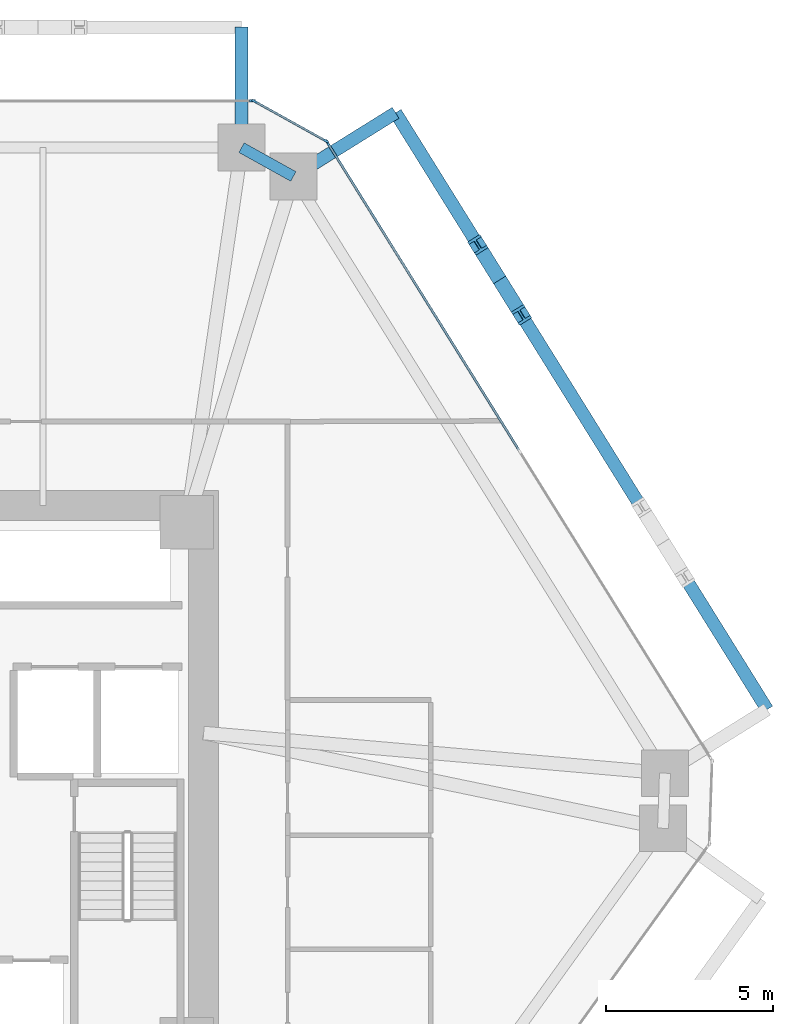
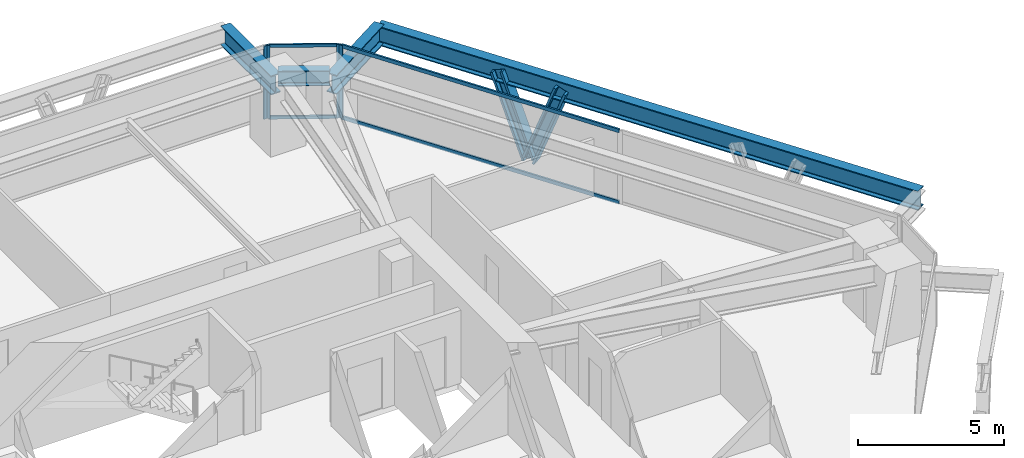
# One storey, part 9 of 14: 10 members, 4 beams, 3 elements without a shape of their own.
"""IFC4 building model written with IfcOpenShell, lengths in metres."""

from ifc_helpers import new_model, si_unit, direction, frame, origin, origin_2d, place, context, subcontext, project, spatial, rectangle, i_section, extrude, source, transform, mapped, material, layer, layer_set, material_profile, profile_set, type_object, type_shapes, element, aggregate, save


model = new_model("IFC4")

# Units and contexts
model_context = context("Model", 3, precision=1e-05, world=origin(), true_north=direction((0.0, 1.0)))
body_context = subcontext(model_context, "Body", "Model", "MODEL_VIEW")
ifc_project = project(units=[si_unit("LENGTHUNIT", "METRE"), si_unit("AREAUNIT", "SQUARE_METRE"), si_unit("VOLUMEUNIT", "CUBIC_METRE"), si_unit("PLANEANGLEUNIT", "RADIAN"), si_unit("MASSUNIT", "GRAM", prefix="KILO")], contexts=[model_context])

# Site, building, storey
site_placement = place(None, origin())
site = spatial("IfcSite", under=ifc_project, at=site_placement, CompositionType="ELEMENT")
building_placement = place(site_placement, origin())
building = spatial("IfcBuilding", under=site, at=building_placement, Name="Durnholm Broadcast Tower", CompositionType="ELEMENT")
storey_placement = place(building_placement, frame((0.0, 0.0, 35.699951171875)))
storey = spatial("IfcBuildingStorey", under=building, at=storey_placement, Name="L07", CompositionType="ELEMENT", Elevation=35.699951171875)

# Beams
ifc_material_1 = material(Name="Steel ASTM A992 Grade 50", Category="steel")
ifc_material_profile_1 = material_profile(ifc_material_1, i_section(OverallWidth=0.3291015625, OverallDepth=0.635009765625, WebThickness=0.017822265625, FlangeThickness=0.031005859375, FilletRadius=0.02783203125, at=origin_2d()), Name="W24X162")
ifc_profile_set_1 = profile_set([ifc_material_profile_1], Name="Steel ASTM A992 Grade 50")
beam_type_1 = type_object("IfcBeamType", Name="STL-SP-W24X162", PredefinedType="SPANDREL", material=ifc_profile_set_1)
shared_shape_1 = source(origin(), body_context, "Body", "SweptSolid", [
    extrude(i_section(OverallWidth=0.3291015625, OverallDepth=0.635009765625, WebThickness=0.017822265625, FlangeThickness=0.031005859375, FilletRadius=0.02783203125, at=origin_2d()), origin(), (0.0, 0.0, 1.0), 1.774658203125),
])
type_shapes(beam_type_1, [shared_shape_1])
beam_1_placement = place(storey_placement, frame((11.43115234375, 19.0, 2.7275390625), z_axis=(0.874248107979, -0.485479397806, 0.0), x_axis=(0.485479397806, 0.874248107979, 0.0)))
element("IfcBeam", 1, at=beam_1_placement, inside=storey, type_object=beam_type_1, Name="L07 perimeter spandrel girder 06", PredefinedType="SPANDREL", context=body_context, shape_type="MappedRepresentation", body=[
    mapped(shared_shape_1, transform((0.0, 0.0, 0.0), x_axis=(1.0, 0.0, 0.0), y_axis=(0.0, 1.0, 0.0), z_axis=(0.0, 0.0, 1.0), scale=1.0)),
])
ifc_material_profile_2 = material_profile(ifc_material_1, i_section(OverallWidth=0.385009765625, OverallDepth=0.802978515625, WebThickness=0.023681640625, FlangeThickness=0.0419921875, FilletRadius=0.032958984375, at=origin_2d()), Name="W30X261")
ifc_profile_set_2 = profile_set([ifc_material_profile_2], Name="Steel ASTM A992 Grade 50")
beam_type_2 = type_object("IfcBeamType", Name="BM-EXO-TIE", PredefinedType="USERDEFINED", material=ifc_profile_set_2)
shared_shape_2 = source(origin(), body_context, "Body", "SweptSolid", [
    extrude(i_section(OverallWidth=0.385009765625, OverallDepth=0.802978515625, WebThickness=0.023681640625, FlangeThickness=0.0419921875, FilletRadius=0.032958984375, at=origin_2d()), origin(), (0.0, 0.0, 1.0), 3.4560546875),
])
for number, where, z_axis, x_axis, name in (
    (2, (13.10498046875, 18.214599609375, 2.30859375), (0.848854443891, 0.528626648105, 0.0), (-0.528626648105, 0.848854443891, 0.0), "L07 exoskeleton stand-off tie bracket F3.2"),
    (3, (11.43115234375, 19.14404296875, 2.30859375), (0.0, 1.0, 0.0), (-1.0, 0.0, 0.0), "L07 exoskeleton stand-off tie bracket F4.1"),
):
    element("IfcBeam", number, at=place(storey_placement, frame(where, z_axis=z_axis, x_axis=x_axis)), inside=storey, type_object=beam_type_2, Name=name, ObjectType="GIRDER", PredefinedType="USERDEFINED", context=body_context, shape_type="MappedRepresentation", body=[
        mapped(shared_shape_2, transform((0.0, 0.0, 0.0), x_axis=(1.0, 0.0, 0.0), y_axis=(0.0, 1.0, 0.0), z_axis=(0.0, 0.0, 1.0), scale=1.0)),
    ])
shared_shape_3 = source(origin(), body_context, "Body", "SweptSolid", [
    extrude(i_section(OverallWidth=0.385009765625, OverallDepth=0.802978515625, WebThickness=0.023681640625, FlangeThickness=0.0419921875, FilletRadius=0.032958984375, at=origin_2d()), origin(), (0.0, 0.0, 1.0), 21.0146484375),
])
type_shapes(beam_type_2, [shared_shape_2, shared_shape_3])
beam_2_placement = place(storey_placement, frame((27.146728515625, 2.20263671875, 2.30859375), z_axis=(-0.528590518575, 0.848876942597, 0.0), x_axis=(-0.848876942597, -0.528590518575, 0.0)))
element("IfcBeam", 4, at=beam_2_placement, inside=storey, type_object=beam_type_2, Name="L07 exoskeleton collector spandrel F3", PredefinedType="SPANDREL", context=body_context, shape_type="MappedRepresentation", body=[
    mapped(shared_shape_3, transform((0.0, 0.0, 0.0), x_axis=(1.0, 0.0, 0.0), y_axis=(0.0, 1.0, 0.0), z_axis=(0.0, 0.0, 1.0), scale=1.0)),
])

# Members
ifc_material_2 = material(Name="Steel ASTM A913 Grade 65", Category="steel")
ifc_material_profile_3 = material_profile(ifc_material_2, i_section(OverallWidth=0.43212890625, OverallDepth=0.497802734375, WebThickness=0.0556640625, FlangeThickness=0.0888671875, FilletRadius=0.030517578125, at=origin_2d()), Name="W14X500")
ifc_profile_set_3 = profile_set([ifc_material_profile_3], Name="Steel ASTM A913 Grade 65")
member_type_1 = type_object("IfcMemberType", Name="STL-DG-W14X500", PredefinedType="BRACE", material=ifc_profile_set_3)
shared_shape_4 = source(origin(), body_context, "Body", "SweptSolid", [
    extrude(i_section(OverallWidth=0.43212890625, OverallDepth=0.497802734375, WebThickness=0.0556640625, FlangeThickness=0.0888671875, FilletRadius=0.030517578125, at=origin_2d()), origin(), (0.0, 0.0, 1.0), 3.523193359375),
])
type_shapes(member_type_1, [shared_shape_4])
for number, where, z_axis, x_axis, name in (
    (5, (19.14892578125, 15.04638671875, -0.991455078125), (0.185090383068, -0.297281072018, 0.936677913861), (0.848908635391, 0.528539618911, 0.0), "L07 stand-off diagrid brace F3.D2.1"),
    (6, (19.14892578125, 15.04638671875, -0.991455078125), (-0.185090383068, 0.297281072018, 0.936677913861), (-0.848908635391, -0.528539618911, 0.0), "L07 stand-off diagrid brace F3.D2.2"),
):
    element("IfcMember", number, at=place(storey_placement, frame(where, z_axis=z_axis, x_axis=x_axis)), inside=storey, type_object=member_type_1, Name=name, PredefinedType="BRACE", context=body_context, shape_type="MappedRepresentation", body=[
        mapped(shared_shape_4, transform((0.0, 0.0, 0.0), x_axis=(1.0, 0.0, 0.0), y_axis=(0.0, 1.0, 0.0), z_axis=(0.0, 0.0, 1.0), scale=1.0)),
    ])

# Curtain wall, members
ifc_material_3 = material(Name="Aluminium and Solar Control IGU", Category="aluminium")
ifc_layer_1 = layer(ifc_material_3, 0.1650390625)
ifc_layer_set_1 = layer_set([ifc_layer_1], Name="Aluminium and Solar Control IGU")
curtain_wall_type_1 = type_object("IfcCurtainWallType", Name="CW-SYS-5", PredefinedType="NOTDEFINED", material=ifc_layer_set_1)
curtain_wall_1_placement = place(storey_placement, origin())
curtain_wall_1 = element("IfcCurtainWall", 7, at=curtain_wall_1_placement, inside=storey, type_object=curtain_wall_type_1, Name="L07 curtain wall CW-CORNER CW-L07-CRN-05", PredefinedType="NOTDEFINED")
ifc_material_4 = material(Name="Aluminium 6063-T6", Category="aluminium")
ifc_material_profile_4 = material_profile(ifc_material_4, rectangle(XDim=0.06494140625, YDim=0.1650390625, at=origin_2d()), Name="CWM65X165")
ifc_profile_set_4 = profile_set([ifc_material_profile_4], Name="Aluminium 6063-T6")
member_type_2 = type_object("IfcMemberType", Name="CW-SYS-5-MUL", PredefinedType="MULLION", material=ifc_profile_set_4)
shared_shape_5 = source(origin(), body_context, "Body", "SweptSolid", [
    extrude(rectangle(XDim=0.06494140625, YDim=0.1650390625, at=origin_2d()), origin(), (0.0, 0.0, 1.0), 3.06005859375),
])
type_shapes(member_type_2, [shared_shape_5])
member_1_placement = place(storey_placement, frame((11.822265625, 20.38427734375, 0.0), z_axis=(0.0, 0.0, 1.0), x_axis=(0.485483299359, 0.874245941394, 0.0)))
member_1 = element("IfcMember", 8, at=member_1_placement, type_object=member_type_2, Name="CW-CORNER mullion 1", PredefinedType="MULLION", context=body_context, shape_type="MappedRepresentation", body=[
    mapped(shared_shape_5, transform((0.0, 0.0, 0.0), x_axis=(1.0, 0.0, 0.0), y_axis=(0.0, 1.0, 0.0), z_axis=(0.0, 0.0, 1.0), scale=1.0)),
])
member_2_placement = place(storey_placement, frame((13.950927734375, 19.2021484375, 0.0), z_axis=(0.0, 0.0, 1.0), x_axis=(0.485483299359, 0.874245941394, 0.0)))
member_2 = element("IfcMember", 9, at=member_2_placement, type_object=member_type_2, Name="CW-CORNER mullion 2", PredefinedType="MULLION", context=body_context, shape_type="MappedRepresentation", body=[
    mapped(shared_shape_5, transform((0.0, 0.0, 0.0), x_axis=(1.0, 0.0, 0.0), y_axis=(0.0, 1.0, 0.0), z_axis=(0.0, 0.0, 1.0), scale=1.0)),
])
ifc_material_profile_5 = material_profile(ifc_material_4, rectangle(XDim=0.06494140625, YDim=0.1298828125, at=origin_2d()), Name="CWT65X130")
ifc_profile_set_5 = profile_set([ifc_material_profile_5], Name="Aluminium 6063-T6")
member_type_3 = type_object("IfcMemberType", Name="CW-SYS-5-TRN", PredefinedType="USERDEFINED", material=ifc_profile_set_5)
shared_shape_6 = source(origin(), body_context, "Body", "SweptSolid", [
    extrude(rectangle(XDim=0.06494140625, YDim=0.1298828125, at=origin_2d()), origin(), (0.0, 0.0, 1.0), 2.3701171875),
])
type_shapes(member_type_3, [shared_shape_6])
member_3_placement = place(storey_placement, frame((11.8505859375, 20.368408203125, 0.032470703125), z_axis=(0.874244723151, -0.485485493132, 0.0), x_axis=(0.485485493132, 0.874244723151, 0.0)))
member_3 = element("IfcMember", 10, at=member_3_placement, type_object=member_type_3, Name="CW-CORNER transom 1.1", ObjectType="TRANSOM", PredefinedType="USERDEFINED", context=body_context, shape_type="MappedRepresentation", body=[
    mapped(shared_shape_6, transform((0.0, 0.0, 0.0), x_axis=(1.0, 0.0, 0.0), y_axis=(0.0, 1.0, 0.0), z_axis=(0.0, 0.0, 1.0), scale=1.0)),
])
member_4_placement = place(storey_placement, frame((11.8505859375, 20.368408203125, 3.027587890625), z_axis=(0.874244723151, -0.485485493132, 0.0), x_axis=(0.485485493132, 0.874244723151, 0.0)))
member_4 = element("IfcMember", 11, at=member_4_placement, type_object=member_type_3, Name="CW-CORNER transom 1.2", ObjectType="TRANSOM", PredefinedType="USERDEFINED", context=body_context, shape_type="MappedRepresentation", body=[
    mapped(shared_shape_6, transform((0.0, 0.0, 0.0), x_axis=(1.0, 0.0, 0.0), y_axis=(0.0, 1.0, 0.0), z_axis=(0.0, 0.0, 1.0), scale=1.0)),
])
aggregate(curtain_wall_1, [member_1, member_2, member_3, member_4])

# Curtain wall, member
ifc_layer_2 = layer(ifc_material_3, 0.18994140625)
ifc_layer_set_2 = layer_set([ifc_layer_2], Name="Aluminium and Solar Control IGU")
curtain_wall_type_2 = type_object("IfcCurtainWallType", Name="CW-SYS-3", PredefinedType="NOTDEFINED", material=ifc_layer_set_2)
curtain_wall_2_placement = place(storey_placement, origin())
curtain_wall_2 = element("IfcCurtainWall", 12, at=curtain_wall_2_placement, inside=storey, type_object=curtain_wall_type_2, Name="L07 curtain wall CW-Z12-VIS CW-L07-F04", PredefinedType="NOTDEFINED")
ifc_material_profile_6 = material_profile(ifc_material_4, rectangle(XDim=0.070068359375, YDim=0.18994140625, at=origin_2d()), Name="CWM70X190")
ifc_profile_set_6 = profile_set([ifc_material_profile_6], Name="Aluminium 6063-T6")
member_type_4 = type_object("IfcMemberType", Name="CW-SYS-3-MUL", PredefinedType="MULLION", material=ifc_profile_set_6)
shared_shape_7 = source(origin(), body_context, "Body", "SweptSolid", [
    extrude(rectangle(XDim=0.070068359375, YDim=0.18994140625, at=origin_2d()), origin(), (0.0, 0.0, 1.0), 3.06005859375),
])
type_shapes(member_type_4, [shared_shape_7])
member_5_placement = place(storey_placement, frame((11.7587890625, 20.39990234375, 0.0), z_axis=(0.0, 0.0, 1.0), x_axis=(0.0, 1.0, 0.0)))
member_5 = element("IfcMember", 13, at=member_5_placement, type_object=member_type_4, Name="CW-Z12-VIS mullion 3", PredefinedType="MULLION", context=body_context, shape_type="MappedRepresentation", body=[
    mapped(shared_shape_7, transform((0.0, 0.0, 0.0), x_axis=(1.0, 0.0, 0.0), y_axis=(0.0, 1.0, 0.0), z_axis=(0.0, 0.0, 1.0), scale=1.0)),
])
aggregate(curtain_wall_2, [member_5])

# Curtain wall, members
curtain_wall_3_placement = place(storey_placement, origin())
curtain_wall_3 = element("IfcCurtainWall", 14, at=curtain_wall_3_placement, inside=storey, type_object=curtain_wall_type_2, Name="L07 curtain wall CW-Z12-VIS CW-L07-F06", PredefinedType="NOTDEFINED")
member_6_placement = place(storey_placement, frame((13.997802734375, 19.156494140625, 0.0), z_axis=(0.0, 0.0, 1.0), x_axis=(0.848875785503, 0.528592376777, 0.0)))
member_6 = element("IfcMember", 15, at=member_6_placement, type_object=member_type_4, Name="CW-Z12-VIS mullion 1", PredefinedType="MULLION", context=body_context, shape_type="MappedRepresentation", body=[
    mapped(shared_shape_7, transform((0.0, 0.0, 0.0), x_axis=(1.0, 0.0, 0.0), y_axis=(0.0, 1.0, 0.0), z_axis=(0.0, 0.0, 1.0), scale=1.0)),
])
ifc_material_profile_7 = material_profile(ifc_material_4, rectangle(XDim=0.070068359375, YDim=0.14990234375, at=origin_2d()), Name="CWT70X150")
ifc_profile_set_7 = profile_set([ifc_material_profile_7], Name="Aluminium 6063-T6")
member_type_5 = type_object("IfcMemberType", Name="CW-SYS-3-TRN", PredefinedType="USERDEFINED", material=ifc_profile_set_7)
shared_shape_8 = source(origin(), body_context, "Body", "SweptSolid", [
    extrude(rectangle(XDim=0.070068359375, YDim=0.14990234375, at=origin_2d()), origin(), (0.0, 0.0, 1.0), 10.796630859375),
])
type_shapes(member_type_5, [shared_shape_8])
member_7_placement = place(storey_placement, frame((14.016357421875, 19.126953125, 0.03515625), z_axis=(0.528591657678, -0.848876233283, 0.0), x_axis=(0.848876233283, 0.528591657678, 0.0)))
member_7 = element("IfcMember", 16, at=member_7_placement, type_object=member_type_5, Name="CW-Z12-VIS transom 1.1", ObjectType="TRANSOM", PredefinedType="USERDEFINED", context=body_context, shape_type="MappedRepresentation", body=[
    mapped(shared_shape_8, transform((0.0, 0.0, 0.0), x_axis=(1.0, 0.0, 0.0), y_axis=(0.0, 1.0, 0.0), z_axis=(0.0, 0.0, 1.0), scale=1.0)),
])
member_8_placement = place(storey_placement, frame((14.016357421875, 19.126953125, 3.025146484375), z_axis=(0.528591657678, -0.848876233283, 0.0), x_axis=(0.848876233283, 0.528591657678, 0.0)))
member_8 = element("IfcMember", 17, at=member_8_placement, type_object=member_type_5, Name="CW-Z12-VIS transom 1.2", ObjectType="TRANSOM", PredefinedType="USERDEFINED", context=body_context, shape_type="MappedRepresentation", body=[
    mapped(shared_shape_8, transform((0.0, 0.0, 0.0), x_axis=(1.0, 0.0, 0.0), y_axis=(0.0, 1.0, 0.0), z_axis=(0.0, 0.0, 1.0), scale=1.0)),
])
aggregate(curtain_wall_3, [member_6, member_7, member_8])

save(model, "model.ifc")
